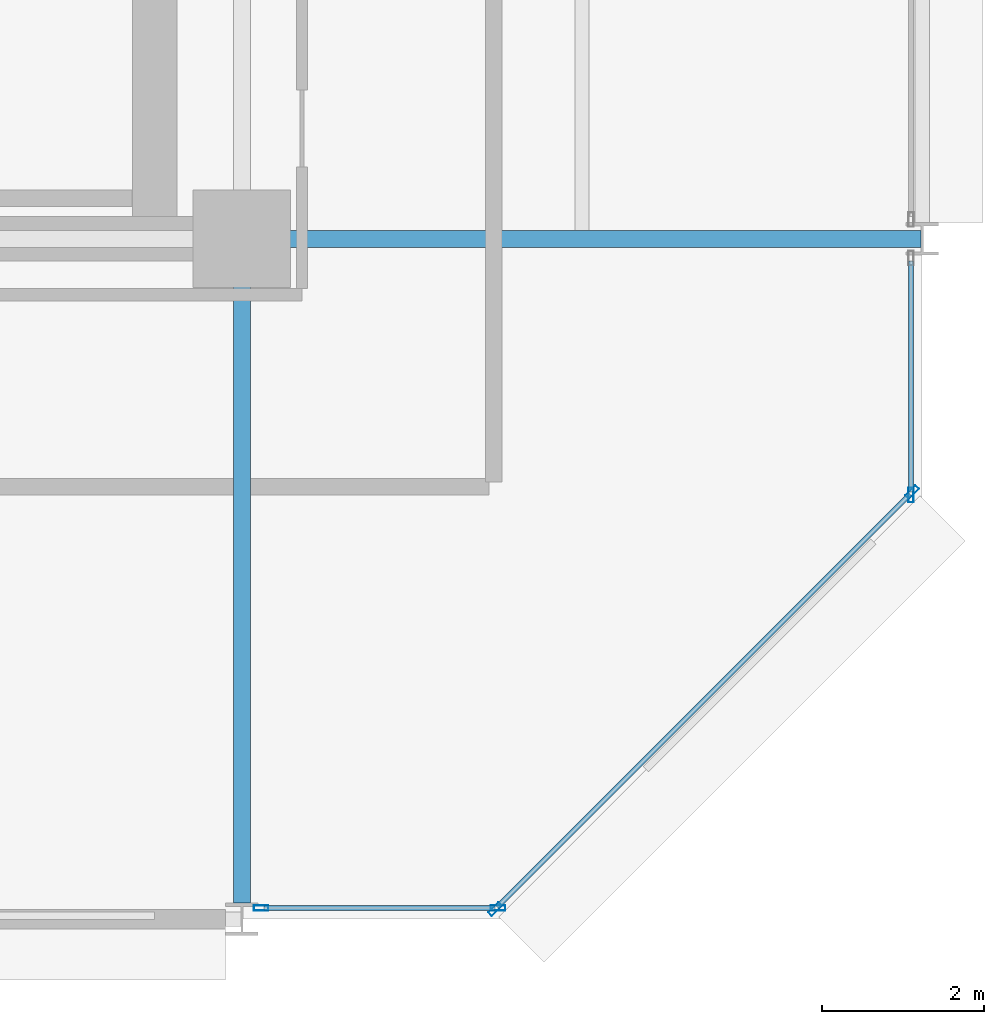
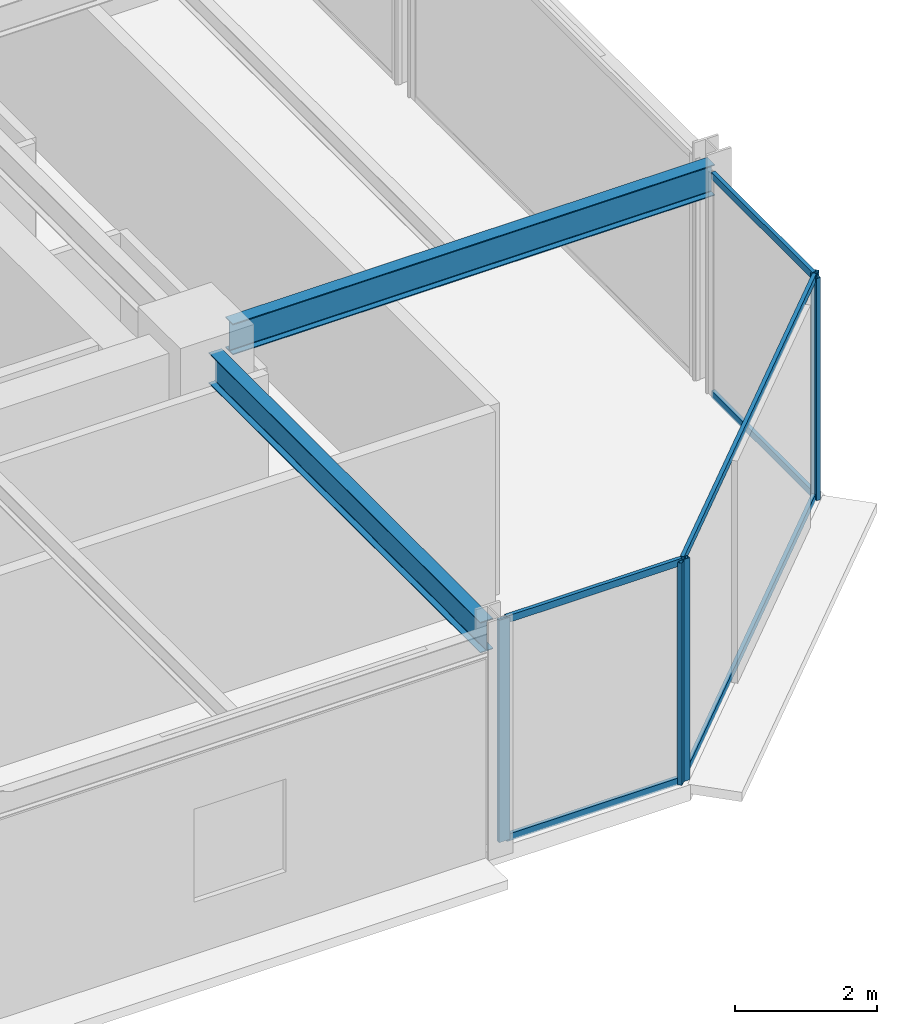
# One storey, part 13 of 30: 11 members, 2 beams, 3 elements without a shape of their own.
"""IFC4 building model written with IfcOpenShell, lengths in metres."""

from ifc_helpers import new_model, si_unit, direction, frame, origin, origin_2d, place, context, subcontext, project, spatial, hollow_rectangle, i_section, extrude, material, layer, layer_set, material_profile, profile_set, type_object, element, aggregate, save


model = new_model("IFC4")

# Units and contexts
model_context = context("Model", 3, precision=1e-05, world=origin(), true_north=direction((0.0, 1.0)))
body_context = subcontext(model_context, "Body", "Model", "MODEL_VIEW")
ifc_project = project(units=[si_unit("LENGTHUNIT", "METRE"), si_unit("AREAUNIT", "SQUARE_METRE"), si_unit("VOLUMEUNIT", "CUBIC_METRE"), si_unit("PLANEANGLEUNIT", "RADIAN"), si_unit("MASSUNIT", "GRAM", prefix="KILO")], contexts=[model_context])

# Site, building, storey
site_placement = place(None, origin())
site = spatial("IfcSite", under=ifc_project, at=site_placement, CompositionType="ELEMENT")
building_placement = place(site_placement, origin())
building = spatial("IfcBuilding", under=site, at=building_placement, Name="Nerrivon Quay Data Exchange", CompositionType="ELEMENT")
storey_placement = place(building_placement, frame((0.0, 0.0, 154.10009765625)))
storey = spatial("IfcBuildingStorey", under=building, at=storey_placement, Name="L36", CompositionType="ELEMENT", Elevation=154.10009765625)

# Beams
ifc_material_1 = material(Name="Steel Grade 350", Category="steel")
ifc_material_profile_1 = material_profile(ifc_material_1, i_section(OverallWidth=0.208984375, OverallDepth=0.532958984375, WebThickness=0.01025390625, FlangeThickness=0.015625, FilletRadius=0.013916015625, at=origin_2d()), Name="530UB92.4")
ifc_profile_set_1 = profile_set([ifc_material_profile_1], Name="Steel Grade 350")
beam_type_1 = type_object("IfcBeamType", Name="BM-G3-530UB92", PredefinedType="BEAM", material=ifc_profile_set_1)
beam_1_placement = place(storey_placement, frame((34.139892578125, 8.39990234375, 3.558349609375), z_axis=(1.0, 0.0, 0.0), x_axis=(0.0, 1.0, 0.0)))
element("IfcBeam", 1, at=beam_1_placement, inside=storey, type_object=beam_type_1, Name="L36 EW Girder Y=8.4 (33.6..42.0)", PredefinedType="BEAM", context=body_context, shape_type="SweptSolid", body=[
    extrude(i_section(OverallWidth=0.208984375, OverallDepth=0.532958984375, WebThickness=0.01025390625, FlangeThickness=0.015625, FilletRadius=0.013916015625, at=origin_2d()), origin(), (0.0, 0.0, 1.0), 7.84765625),
])
ifc_material_profile_2 = material_profile(ifc_material_1, i_section(OverallWidth=0.208984375, OverallDepth=0.528076171875, WebThickness=0.009521484375, FlangeThickness=0.01318359375, FilletRadius=0.013916015625, at=origin_2d()), Name="530UB82.0")
ifc_profile_set_2 = profile_set([ifc_material_profile_2], Name="Steel Grade 350")
beam_type_2 = type_object("IfcBeamType", Name="BM-G4-530UB82", PredefinedType="BEAM", material=ifc_profile_set_2)
beam_2_placement = place(storey_placement, frame((33.60009765625, 0.199951171875, 3.560791015625), z_axis=(0.0, 1.0, 0.0), x_axis=(-1.0, 0.0, 0.0)))
element("IfcBeam", 2, at=beam_2_placement, inside=storey, type_object=beam_type_2, Name="L36 NS Girder X=33.6 (0.0..8.4)", PredefinedType="BEAM", context=body_context, shape_type="SweptSolid", body=[
    extrude(i_section(OverallWidth=0.208984375, OverallDepth=0.528076171875, WebThickness=0.009521484375, FlangeThickness=0.01318359375, FilletRadius=0.013916015625, at=origin_2d()), origin(), (0.0, 0.0, 1.0), 7.66015625),
])

# Curtain wall, members
ifc_material_2 = material(Name="Anodised aluminium 6063-T6", Category="aluminium")
ifc_layer = layer(ifc_material_2, 0.2099609375)
ifc_layer_set = layer_set([ifc_layer], Name="Anodised aluminium 6063-T6")
curtain_wall_type = type_object("IfcCurtainWallType", Name="CW-SYS-02", PredefinedType="NOTDEFINED", material=ifc_layer_set)
curtain_wall_1_placement = place(storey_placement, origin())
curtain_wall_1 = element("IfcCurtainWall", 3, at=curtain_wall_1_placement, inside=storey, type_object=curtain_wall_type, Name="L36 Unitised Curtain Wall 1", PredefinedType="NOTDEFINED")
ifc_material_profile_3 = material_profile(ifc_material_2, hollow_rectangle(XDim=0.06494140625, YDim=0.179931640625, WallThickness=0.00341796875, at=origin_2d()), Name="ALU-MULL-180x65")
ifc_profile_set_3 = profile_set([ifc_material_profile_3], Name="Anodised aluminium 6063-T6")
member_type_1 = type_object("IfcMemberType", Name="CWM-180x65", PredefinedType="MULLION", material=ifc_profile_set_3)
member_1_placement = place(storey_placement, frame((41.87451171875, 5.2724609375, 0.0), z_axis=(0.0, 0.0, 1.0), x_axis=(0.707106781187, -0.707106781187, 0.0)))
member_1 = element("IfcMember", 4, at=member_1_placement, type_object=member_type_1, Name="CW02 mullion 1", PredefinedType="MULLION", context=body_context, shape_type="SweptSolid", body=[
    extrude(hollow_rectangle(XDim=0.06494140625, YDim=0.179931640625, WallThickness=0.00341796875, at=origin_2d()), origin(), (0.0, 0.0, 1.0), 3.824951171875),
])
member_2_placement = place(storey_placement, frame((36.7275390625, 0.12548828125, 0.0), z_axis=(0.0, 0.0, 1.0), x_axis=(0.707106781187, -0.707106781187, 0.0)))
member_2 = element("IfcMember", 5, at=member_2_placement, type_object=member_type_1, Name="CW02 mullion 2", PredefinedType="MULLION", context=body_context, shape_type="SweptSolid", body=[
    extrude(hollow_rectangle(XDim=0.06494140625, YDim=0.179931640625, WallThickness=0.00341796875, at=origin_2d()), origin(), (0.0, 0.0, 1.0), 3.824951171875),
])

curtain_wall_2_placement = place(storey_placement, origin())
curtain_wall_2 = element("IfcCurtainWall", 6, at=curtain_wall_2_placement, inside=storey, type_object=curtain_wall_type, Name="L36 Unitised Curtain Wall 2", PredefinedType="NOTDEFINED")
member_3_placement = place(storey_placement, frame((36.762451171875, 0.139892578125, 0.0), z_axis=(0.0, 0.0, 1.0), x_axis=(0.0, -1.0, 0.0)))
member_3 = element("IfcMember", 7, at=member_3_placement, type_object=member_type_1, Name="CW02 mullion 1", PredefinedType="MULLION", context=body_context, shape_type="SweptSolid", body=[
    extrude(hollow_rectangle(XDim=0.06494140625, YDim=0.179931640625, WallThickness=0.00341796875, at=origin_2d()), origin(), (0.0, 0.0, 1.0), 3.824951171875),
])
member_4_placement = place(storey_placement, frame((33.83740234375, 0.139892578125, 0.0), z_axis=(0.0, 0.0, 1.0), x_axis=(0.0, -1.0, 0.0)))
member_4 = element("IfcMember", 8, at=member_4_placement, type_object=member_type_1, Name="CW02 mullion 2", PredefinedType="MULLION", context=body_context, shape_type="SweptSolid", body=[
    extrude(hollow_rectangle(XDim=0.06494140625, YDim=0.179931640625, WallThickness=0.00341796875, at=origin_2d()), origin(), (0.0, 0.0, 1.0), 3.824951171875),
])

# Curtain wall, member
curtain_wall_3_placement = place(storey_placement, origin())
curtain_wall_3 = element("IfcCurtainWall", 9, at=curtain_wall_3_placement, inside=storey, type_object=curtain_wall_type, Name="L36 Unitised Curtain Wall 30", PredefinedType="NOTDEFINED")
member_5_placement = place(storey_placement, frame((41.860107421875, 5.237548828125, 0.0), z_axis=(0.0, 0.0, 1.0), x_axis=(1.0, 0.0, 0.0)))
member_5 = element("IfcMember", 10, at=member_5_placement, type_object=member_type_1, Name="CW02 mullion 2", PredefinedType="MULLION", context=body_context, shape_type="SweptSolid", body=[
    extrude(hollow_rectangle(XDim=0.06494140625, YDim=0.179931640625, WallThickness=0.00341796875, at=origin_2d()), origin(), (0.0, 0.0, 1.0), 3.824951171875),
])

# Member
ifc_material_profile_4 = material_profile(ifc_material_2, hollow_rectangle(XDim=0.06005859375, YDim=0.1201171875, WallThickness=0.003173828125, at=origin_2d()), Name="ALU-TRAN-120x60")
ifc_profile_set_4 = profile_set([ifc_material_profile_4], Name="Anodised aluminium 6063-T6")
member_type_2 = type_object("IfcMemberType", Name="CWT-120x60", PredefinedType="USERDEFINED", material=ifc_profile_set_4)
member_6_placement = place(storey_placement, frame((41.847900390625, 5.245849609375, 0.032470703125), z_axis=(-0.707106781187, -0.707106781187, 0.0), x_axis=(0.707106781187, -0.707106781187, 0.0)))
member_6 = element("IfcMember", 11, at=member_6_placement, type_object=member_type_2, Name="CW02 transom 1.1", ObjectType="TRANSOM", PredefinedType="USERDEFINED", context=body_context, shape_type="SweptSolid", body=[
    extrude(hollow_rectangle(XDim=0.06005859375, YDim=0.1201171875, WallThickness=0.003173828125, at=origin_2d()), origin(), (0.0, 0.0, 1.0), 7.20361328125),
])

member_7_placement = place(storey_placement, frame((41.847900390625, 5.245849609375, 3.79248046875), z_axis=(-0.707106781187, -0.707106781187, 0.0), x_axis=(0.707106781187, -0.707106781187, 0.0)))
member_7 = element("IfcMember", 12, at=member_7_placement, type_object=member_type_2, Name="CW02 transom 1.2", ObjectType="TRANSOM", PredefinedType="USERDEFINED", context=body_context, shape_type="SweptSolid", body=[
    extrude(hollow_rectangle(XDim=0.06005859375, YDim=0.1201171875, WallThickness=0.003173828125, at=origin_2d()), origin(), (0.0, 0.0, 1.0), 7.20361328125),
])

aggregate(curtain_wall_1, [member_1, member_2, member_6, member_7])

member_8_placement = place(storey_placement, frame((36.72509765625, 0.139892578125, 0.032470703125), z_axis=(-1.0, 0.0, 0.0), x_axis=(0.0, -1.0, 0.0)))
member_8 = element("IfcMember", 13, at=member_8_placement, type_object=member_type_2, Name="CW02 transom 1.1", ObjectType="TRANSOM", PredefinedType="USERDEFINED", context=body_context, shape_type="SweptSolid", body=[
    extrude(hollow_rectangle(XDim=0.06005859375, YDim=0.1201171875, WallThickness=0.003173828125, at=origin_2d()), origin(), (0.0, 0.0, 1.0), 2.85009765625),
])

member_9_placement = place(storey_placement, frame((36.72509765625, 0.139892578125, 3.79248046875), z_axis=(-1.0, 0.0, 0.0), x_axis=(0.0, -1.0, 0.0)))
member_9 = element("IfcMember", 14, at=member_9_placement, type_object=member_type_2, Name="CW02 transom 1.2", ObjectType="TRANSOM", PredefinedType="USERDEFINED", context=body_context, shape_type="SweptSolid", body=[
    extrude(hollow_rectangle(XDim=0.06005859375, YDim=0.1201171875, WallThickness=0.003173828125, at=origin_2d()), origin(), (0.0, 0.0, 1.0), 2.85009765625),
])

aggregate(curtain_wall_2, [member_3, member_4, member_8, member_9])

member_10_placement = place(storey_placement, frame((41.860107421875, 8.125, 0.032470703125), z_axis=(0.0, -1.0, 0.0), x_axis=(1.0, 0.0, 0.0)))
member_10 = element("IfcMember", 15, at=member_10_placement, type_object=member_type_2, Name="CW02 transom 1.1", ObjectType="TRANSOM", PredefinedType="USERDEFINED", context=body_context, shape_type="SweptSolid", body=[
    extrude(hollow_rectangle(XDim=0.06005859375, YDim=0.1201171875, WallThickness=0.003173828125, at=origin_2d()), origin(), (0.0, 0.0, 1.0), 2.85009765625),
])

member_11_placement = place(storey_placement, frame((41.860107421875, 8.125, 3.79248046875), z_axis=(0.0, -1.0, 0.0), x_axis=(1.0, 0.0, 0.0)))
member_11 = element("IfcMember", 16, at=member_11_placement, type_object=member_type_2, Name="CW02 transom 1.2", ObjectType="TRANSOM", PredefinedType="USERDEFINED", context=body_context, shape_type="SweptSolid", body=[
    extrude(hollow_rectangle(XDim=0.06005859375, YDim=0.1201171875, WallThickness=0.003173828125, at=origin_2d()), origin(), (0.0, 0.0, 1.0), 2.85009765625),
])

aggregate(curtain_wall_3, [member_5, member_10, member_11])

save(model, "model.ifc")
